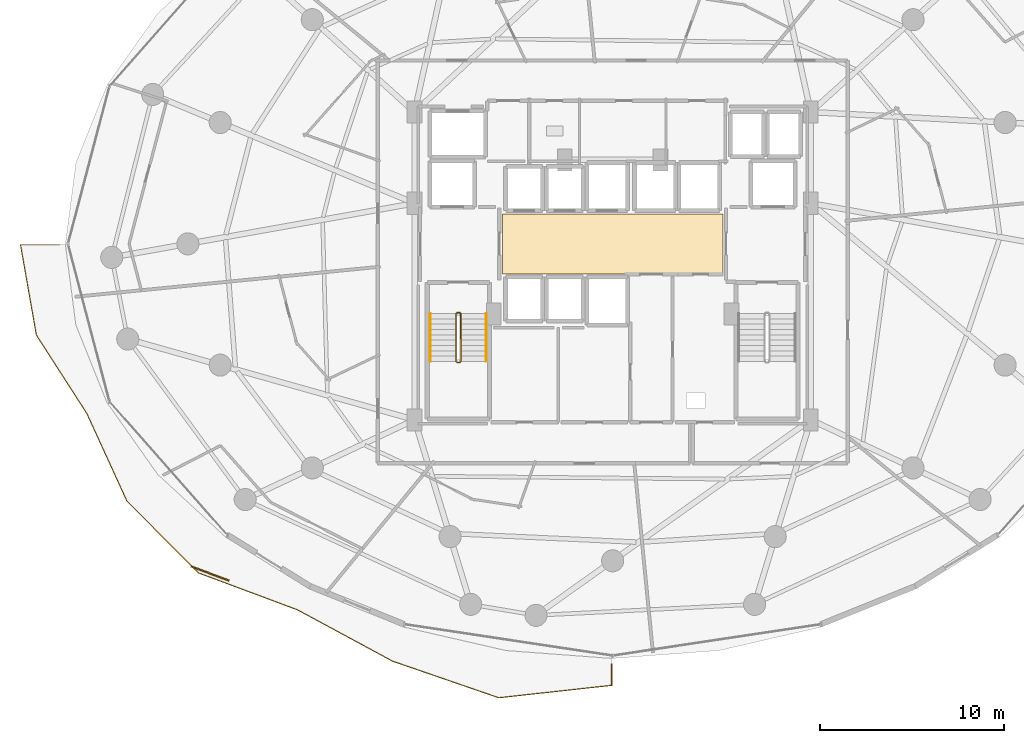
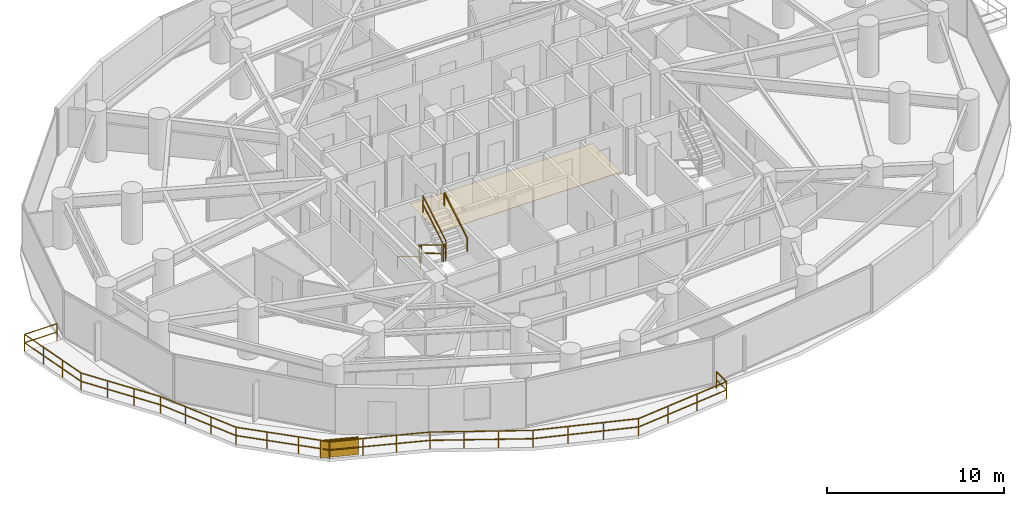
# One storey, part 31 of 33: 8 railings, 1 covering, 1 shading device.
"""IFC4 building model written with IfcOpenShell, lengths in metres."""

from ifc_helpers import new_model, si_unit, direction, frame, origin, origin_2d, place, context, subcontext, project, spatial, polyline, rectangle, outline, extrude, material, layer, layer_set, type_object, element, save


model = new_model("IFC4")

# Units and contexts
model_context = context("Model", 3, precision=1e-05, world=origin(), true_north=direction((0.0, 1.0)))
body_context = subcontext(model_context, "Body", "Model", "MODEL_VIEW")
ifc_project = project(units=[si_unit("LENGTHUNIT", "METRE"), si_unit("AREAUNIT", "SQUARE_METRE"), si_unit("VOLUMEUNIT", "CUBIC_METRE"), si_unit("PLANEANGLEUNIT", "RADIAN"), si_unit("MASSUNIT", "GRAM", prefix="KILO")], contexts=[model_context])

# Site, building, storey
site_placement = place(None, origin())
site = spatial("IfcSite", under=ifc_project, at=site_placement, CompositionType="ELEMENT")
building_placement = place(site_placement, origin())
building = spatial("IfcBuilding", under=site, at=building_placement, Name="Vorneva Point Tower", CompositionType="ELEMENT")
storey_placement = place(building_placement, frame((0.0, 0.0, 59.0)))
storey = spatial("IfcBuildingStorey", under=building, at=storey_placement, Name="L15", CompositionType="ELEMENT", Elevation=59.0)

# Covering
ifc_material_1 = material(Name="Acoustic wool hospitality carpet", Category="textile")
ifc_layer = layer(ifc_material_1, 0.01806640625)
ifc_layer_set = layer_set([ifc_layer], Name="Acoustic wool hospitality carpet")
covering_type = type_object("IfcCoveringType", Name="COV-FLR-CRP", PredefinedType="FLOORING", material=ifc_layer_set)
covering_placement = place(storey_placement, frame((0.0, 0.0, -0.0048828125)))
element("IfcCovering", 1, at=covering_placement, inside=storey, type_object=covering_type, Name="L15 Lift Lobby Floor Finish", PredefinedType="FLOORING", context=body_context, shape_type="SweptSolid", body=[
    extrude(outline(polyline([(32.02001953125, 24.3701171875), (43.97998046875, 24.3701171875), (43.97998046875, 27.6298828125), (32.02001953125, 27.6298828125), (32.02001953125, 24.3701171875)])), origin(), (0.0, 0.0, 1.0), 0.02294921875),
])

# Railings
ifc_material_2 = material(Name="Pale anodised aluminium", Category="aluminium")
railing_type_1 = type_object("IfcRailingType", Name="RL-BAL-1200", PredefinedType="BALUSTRADE", material=ifc_material_2)
railing_1_placement = place(storey_placement, frame((37.949951171875, 2.03955078125, 0.0)))
element("IfcRailing", 2, at=railing_1_placement, inside=storey, type_object=railing_type_1, Name="L15 Wave Balcony Balustrade SW.1", PredefinedType="BALUSTRADE", context=body_context, shape_type="SweptSolid", body=[
    extrude(rectangle(XDim=0.048095703125, YDim=0.048095703125, at=origin_2d()), frame((0.0, 0.0, 1.17578125), z_axis=(0.0, 1.0, 0.0), x_axis=(-1.0, 0.0, 0.0)), (0.0, 0.0, 1.0), 1.143310546875),
    extrude(rectangle(XDim=0.048095703125, YDim=0.048095703125, at=origin_2d()), frame((0.0, 0.0, 0.60009765625), z_axis=(0.0, 1.0, 0.0), x_axis=(-1.0, 0.0, 0.0)), (0.0, 0.0, 1.0), 1.143310546875),
    extrude(rectangle(XDim=0.0419921875, YDim=0.0419921875, at=origin_2d()), origin(), (0.0, 0.0, 1.0), 1.15185546875),
    extrude(rectangle(XDim=0.0419921875, YDim=0.0419921875, at=origin_2d()), frame((0.0, 1.143310546875, 0.0)), (0.0, 0.0, 1.0), 1.15185546875),
])
railing_2_placement = place(storey_placement, frame((7.98388671875, 25.949951171875, 0.0)))
element("IfcRailing", 3, at=railing_2_placement, inside=storey, type_object=railing_type_1, Name="L15 Wave Balcony Balustrade SW.2", PredefinedType="BALUSTRADE", context=body_context, shape_type="SweptSolid", body=[
    extrude(rectangle(XDim=0.048095703125, YDim=0.048095703125, at=origin_2d()), frame((0.0, 0.0, 1.17578125), z_axis=(-1.0, 0.0, 0.0), x_axis=(0.0, -1.0, 0.0)), (0.0, 0.0, 1.0), 2.1201171875),
    extrude(rectangle(XDim=0.048095703125, YDim=0.048095703125, at=origin_2d()), frame((0.0, 0.0, 0.60009765625), z_axis=(-1.0, 0.0, 0.0), x_axis=(0.0, -1.0, 0.0)), (0.0, 0.0, 1.0), 2.1201171875),
    extrude(rectangle(XDim=0.048095703125, YDim=0.048095703125, at=origin_2d()), frame((-2.1201171875, 0.0, 1.17578125), z_axis=(0.173125012369, -0.9848998579, 0.0), x_axis=(0.9848998579, 0.173125012369, 0.0)), (0.0, 0.0, 1.0), 4.97802734375),
    extrude(rectangle(XDim=0.048095703125, YDim=0.048095703125, at=origin_2d()), frame((-2.1201171875, 0.0, 0.60009765625), z_axis=(0.173125012369, -0.9848998579, 0.0), x_axis=(0.9848998579, 0.173125012369, 0.0)), (0.0, 0.0, 1.0), 4.97802734375),
    extrude(rectangle(XDim=0.048095703125, YDim=0.048095703125, at=origin_2d()), frame((-1.25830078125, -4.90283203125, 1.17578125), z_axis=(0.541013524432, -0.841013891907, 0.0), x_axis=(0.841013891907, 0.541013524432, 0.0)), (0.0, 0.0, 1.0), 5.061767578125),
    extrude(rectangle(XDim=0.048095703125, YDim=0.048095703125, at=origin_2d()), frame((-1.25830078125, -4.90283203125, 0.60009765625), z_axis=(0.541013524432, -0.841013891907, 0.0), x_axis=(0.841013891907, 0.541013524432, 0.0)), (0.0, 0.0, 1.0), 5.061767578125),
    extrude(rectangle(XDim=0.048095703125, YDim=0.048095703125, at=origin_2d()), frame((1.480224609375, -9.159912109375, 1.17578125), z_axis=(0.416265850163, -0.909242949925, 0.0), x_axis=(0.909242949925, 0.416265850163, 0.0)), (0.0, 0.0, 1.0), 5.232177734375),
    extrude(rectangle(XDim=0.048095703125, YDim=0.048095703125, at=origin_2d()), frame((1.480224609375, -9.159912109375, 0.60009765625), z_axis=(0.416265850163, -0.909242949925, 0.0), x_axis=(0.909242949925, 0.416265850163, 0.0)), (0.0, 0.0, 1.0), 5.232177734375),
    extrude(rectangle(XDim=0.048095703125, YDim=0.048095703125, at=origin_2d()), frame((3.658203125, -13.917236328125, 1.17578125), z_axis=(0.706084277619, -0.708127808308, 0.0), x_axis=(0.708127808308, 0.706084277619, 0.0)), (0.0, 0.0, 1.0), 5.49560546875),
    extrude(rectangle(XDim=0.048095703125, YDim=0.048095703125, at=origin_2d()), frame((3.658203125, -13.917236328125, 0.60009765625), z_axis=(0.706084277619, -0.708127808308, 0.0), x_axis=(0.708127808308, 0.706084277619, 0.0)), (0.0, 0.0, 1.0), 5.49560546875),
    extrude(rectangle(XDim=0.048095703125, YDim=0.048095703125, at=origin_2d()), frame((7.53857421875, -17.808837890625, 1.17578125), z_axis=(0.936825380414, -0.349797379366, 0.0), x_axis=(0.349797379366, 0.936825380414, 0.0)), (0.0, 0.0, 1.0), 5.751708984375),
    extrude(rectangle(XDim=0.048095703125, YDim=0.048095703125, at=origin_2d()), frame((7.53857421875, -17.808837890625, 0.60009765625), z_axis=(0.936825380414, -0.349797379366, 0.0), x_axis=(0.349797379366, 0.936825380414, 0.0)), (0.0, 0.0, 1.0), 5.751708984375),
    extrude(rectangle(XDim=0.048095703125, YDim=0.048095703125, at=origin_2d()), frame((12.927001953125, -19.82080078125, 1.17578125), z_axis=(0.879801939077, -0.475340454829, 0.0), x_axis=(0.475340454829, 0.879801939077, 0.0)), (0.0, 0.0, 1.0), 5.841796875),
    extrude(rectangle(XDim=0.048095703125, YDim=0.048095703125, at=origin_2d()), frame((12.927001953125, -19.82080078125, 0.60009765625), z_axis=(0.879801939077, -0.475340454829, 0.0), x_axis=(0.475340454829, 0.879801939077, 0.0)), (0.0, 0.0, 1.0), 5.841796875),
    extrude(rectangle(XDim=0.048095703125, YDim=0.048095703125, at=origin_2d()), frame((18.066650390625, -22.59765625, 1.17578125), z_axis=(0.945437599606, -0.32580323088, 0.0), x_axis=(0.32580323088, 0.945437599606, 0.0)), (0.0, 0.0, 1.0), 6.101318359375),
    extrude(rectangle(XDim=0.048095703125, YDim=0.048095703125, at=origin_2d()), frame((18.066650390625, -22.59765625, 0.60009765625), z_axis=(0.945437599606, -0.32580323088, 0.0), x_axis=(0.32580323088, 0.945437599606, 0.0)), (0.0, 0.0, 1.0), 6.101318359375),
    extrude(rectangle(XDim=0.048095703125, YDim=0.048095703125, at=origin_2d()), frame((23.8349609375, -24.58544921875, 1.17578125), z_axis=(0.993993295129, 0.109440985188, 0.0), x_axis=(-0.109440985188, 0.993993295129, 0.0)), (0.0, 0.0, 1.0), 6.168212890625),
    extrude(rectangle(XDim=0.048095703125, YDim=0.048095703125, at=origin_2d()), frame((23.8349609375, -24.58544921875, 0.60009765625), z_axis=(0.993993295129, 0.109440985188, 0.0), x_axis=(-0.109440985188, 0.993993295129, 0.0)), (0.0, 0.0, 1.0), 6.168212890625),
    extrude(rectangle(XDim=0.0419921875, YDim=0.0419921875, at=origin_2d()), origin(), (0.0, 0.0, 1.0), 1.15185546875),
    extrude(rectangle(XDim=0.0419921875, YDim=0.0419921875, at=origin_2d()), frame((-2.1201171875, 0.0, 0.0)), (0.0, 0.0, 1.0), 1.15185546875),
    extrude(rectangle(XDim=0.0419921875, YDim=0.0419921875, at=origin_2d()), frame((-1.832763671875, -1.63427734375, 0.0)), (0.0, 0.0, 1.0), 1.15185546875),
    extrude(rectangle(XDim=0.0419921875, YDim=0.0419921875, at=origin_2d()), frame((-1.545654296875, -3.2685546875, 0.0)), (0.0, 0.0, 1.0), 1.15185546875),
    extrude(rectangle(XDim=0.0419921875, YDim=0.0419921875, at=origin_2d()), frame((-1.25830078125, -4.90283203125, 0.0)), (0.0, 0.0, 1.0), 1.15185546875),
    extrude(rectangle(XDim=0.0419921875, YDim=0.0419921875, at=origin_2d()), frame((-0.345458984375, -6.32177734375, 0.0)), (0.0, 0.0, 1.0), 1.15185546875),
    extrude(rectangle(XDim=0.0419921875, YDim=0.0419921875, at=origin_2d()), frame((0.5673828125, -7.740966796875, 0.0)), (0.0, 0.0, 1.0), 1.15185546875),
    extrude(rectangle(XDim=0.0419921875, YDim=0.0419921875, at=origin_2d()), frame((1.480224609375, -9.159912109375, 0.0)), (0.0, 0.0, 1.0), 1.15185546875),
    extrude(rectangle(XDim=0.0419921875, YDim=0.0419921875, at=origin_2d()), frame((2.206298828125, -10.74560546875, 0.0)), (0.0, 0.0, 1.0), 1.15185546875),
    extrude(rectangle(XDim=0.0419921875, YDim=0.0419921875, at=origin_2d()), frame((2.93212890625, -12.33154296875, 0.0)), (0.0, 0.0, 1.0), 1.15185546875),
    extrude(rectangle(XDim=0.0419921875, YDim=0.0419921875, at=origin_2d()), frame((3.658203125, -13.917236328125, 0.0)), (0.0, 0.0, 1.0), 1.15185546875),
    extrude(rectangle(XDim=0.0419921875, YDim=0.0419921875, at=origin_2d()), frame((4.95166015625, -15.21435546875, 0.0)), (0.0, 0.0, 1.0), 1.15185546875),
    extrude(rectangle(XDim=0.0419921875, YDim=0.0419921875, at=origin_2d()), frame((6.2451171875, -16.51171875, 0.0)), (0.0, 0.0, 1.0), 1.15185546875),
    extrude(rectangle(XDim=0.0419921875, YDim=0.0419921875, at=origin_2d()), frame((7.53857421875, -17.808837890625, 0.0)), (0.0, 0.0, 1.0), 1.15185546875),
    extrude(rectangle(XDim=0.0419921875, YDim=0.0419921875, at=origin_2d()), frame((9.334716796875, -18.4794921875, 0.0)), (0.0, 0.0, 1.0), 1.15185546875),
    extrude(rectangle(XDim=0.0419921875, YDim=0.0419921875, at=origin_2d()), frame((11.130859375, -19.150146484375, 0.0)), (0.0, 0.0, 1.0), 1.15185546875),
    extrude(rectangle(XDim=0.0419921875, YDim=0.0419921875, at=origin_2d()), frame((12.927001953125, -19.82080078125, 0.0)), (0.0, 0.0, 1.0), 1.15185546875),
    extrude(rectangle(XDim=0.0419921875, YDim=0.0419921875, at=origin_2d()), frame((14.64013671875, -20.746337890625, 0.0)), (0.0, 0.0, 1.0), 1.15185546875),
    extrude(rectangle(XDim=0.0419921875, YDim=0.0419921875, at=origin_2d()), frame((16.353515625, -21.672119140625, 0.0)), (0.0, 0.0, 1.0), 1.15185546875),
    extrude(rectangle(XDim=0.0419921875, YDim=0.0419921875, at=origin_2d()), frame((18.066650390625, -22.59765625, 0.0)), (0.0, 0.0, 1.0), 1.15185546875),
    extrude(rectangle(XDim=0.0419921875, YDim=0.0419921875, at=origin_2d()), frame((19.989501953125, -23.26025390625, 0.0)), (0.0, 0.0, 1.0), 1.15185546875),
    extrude(rectangle(XDim=0.0419921875, YDim=0.0419921875, at=origin_2d()), frame((21.912109375, -23.9228515625, 0.0)), (0.0, 0.0, 1.0), 1.15185546875),
    extrude(rectangle(XDim=0.0419921875, YDim=0.0419921875, at=origin_2d()), frame((23.8349609375, -24.58544921875, 0.0)), (0.0, 0.0, 1.0), 1.15185546875),
    extrude(rectangle(XDim=0.0419921875, YDim=0.0419921875, at=origin_2d()), frame((25.878662109375, -24.3603515625, 0.0)), (0.0, 0.0, 1.0), 1.15185546875),
    extrude(rectangle(XDim=0.0419921875, YDim=0.0419921875, at=origin_2d()), frame((27.92236328125, -24.135498046875, 0.0)), (0.0, 0.0, 1.0), 1.15185546875),
    extrude(rectangle(XDim=0.0419921875, YDim=0.0419921875, at=origin_2d()), frame((29.966064453125, -23.910400390625, 0.0)), (0.0, 0.0, 1.0), 1.15185546875),
])
ifc_material_3 = material(Name="Brushed stainless steel S304", Category="steel")
railing_type_2 = type_object("IfcRailingType", Name="RL-HND-920", PredefinedType="HANDRAIL", material=ifc_material_3)
railing_3_placement = place(storey_placement, frame((28.10009765625, 22.219970703125, 0.175048828125)))
element("IfcRailing", 4, at=railing_3_placement, inside=storey, type_object=railing_type_2, Name="L15 ST1 stair handrail 1", PredefinedType="HANDRAIL", context=body_context, shape_type="SweptSolid", body=[
    extrude(rectangle(XDim=0.048095703125, YDim=0.048095703125, at=origin_2d()), frame((0.0, 0.0, 0.8759765625), z_axis=(0.0, -0.85618277418, 0.516673066065), x_axis=(1.0, 0.0, 0.0)), (0.0, 0.0, 1.0), 3.04833984375),
    extrude(rectangle(XDim=0.0419921875, YDim=0.0419921875, at=origin_2d()), origin(), (0.0, 0.0, 1.0), 0.851806640625),
    extrude(rectangle(XDim=0.0419921875, YDim=0.0419921875, at=origin_2d()), frame((0.0, -2.60986328125, 1.574951171875)), (0.0, 0.0, 1.0), 0.851806640625),
])
railing_4_placement = place(storey_placement, frame((31.14990234375, 19.610107421875, 1.925048828125)))
element("IfcRailing", 5, at=railing_4_placement, inside=storey, type_object=railing_type_2, Name="L15 ST1 stair handrail 2", PredefinedType="HANDRAIL", context=body_context, shape_type="SweptSolid", body=[
    extrude(rectangle(XDim=0.048095703125, YDim=0.048095703125, at=origin_2d()), frame((0.0, 0.0, 0.8759765625), z_axis=(0.0, 0.85618277418, 0.516673066065), x_axis=(-1.0, 0.0, 0.0)), (0.0, 0.0, 1.0), 3.04833984375),
    extrude(rectangle(XDim=0.0419921875, YDim=0.0419921875, at=origin_2d()), origin(), (0.0, 0.0, 1.0), 0.851806640625),
    extrude(rectangle(XDim=0.0419921875, YDim=0.0419921875, at=origin_2d()), frame((0.0, 2.60986328125, 1.574951171875)), (0.0, 0.0, 1.0), 0.851806640625),
])
railing_type_3 = type_object("IfcRailingType", Name="RL-STG-1100", PredefinedType="GUARDRAIL", material=ifc_material_3)
railing_5_placement = place(storey_placement, frame((29.5, 22.219970703125, 0.175048828125)))
element("IfcRailing", 6, at=railing_5_placement, inside=storey, type_object=railing_type_3, Name="L15 ST1 stair guard 1", PredefinedType="GUARDRAIL", context=body_context, shape_type="SweptSolid", body=[
    extrude(rectangle(XDim=0.048095703125, YDim=0.048095703125, at=origin_2d()), frame((0.0, 0.0, 1.17578125), z_axis=(0.0, -0.85618277418, 0.516673066065), x_axis=(1.0, 0.0, 0.0)), (0.0, 0.0, 1.0), 3.04833984375),
    extrude(rectangle(XDim=0.048095703125, YDim=0.048095703125, at=origin_2d()), frame((0.0, 0.0, 0.60009765625), z_axis=(0.0, -0.85618277418, 0.516673066065), x_axis=(1.0, 0.0, 0.0)), (0.0, 0.0, 1.0), 3.04833984375),
    extrude(rectangle(XDim=0.0419921875, YDim=0.0419921875, at=origin_2d()), origin(), (0.0, 0.0, 1.0), 1.15185546875),
    extrude(rectangle(XDim=0.0419921875, YDim=0.0419921875, at=origin_2d()), frame((0.0, -2.60986328125, 1.574951171875)), (0.0, 0.0, 1.0), 1.15185546875),
])
railing_6_placement = place(storey_placement, frame((29.550048828125, 19.56005859375, 1.75)))
element("IfcRailing", 7, at=railing_6_placement, inside=storey, type_object=railing_type_3, Name="L15 ST1 stair guard 2", PredefinedType="GUARDRAIL", context=body_context, shape_type="SweptSolid", body=[
    extrude(rectangle(XDim=0.048095703125, YDim=0.048095703125, at=origin_2d()), frame((0.0, 0.0, 1.17578125), z_axis=(1.0, 0.0, 0.0), x_axis=(0.0, 1.0, 0.0)), (0.0, 0.0, 1.0), 0.14990234375),
    extrude(rectangle(XDim=0.048095703125, YDim=0.048095703125, at=origin_2d()), frame((0.0, 0.0, 0.60009765625), z_axis=(1.0, 0.0, 0.0), x_axis=(0.0, 1.0, 0.0)), (0.0, 0.0, 1.0), 0.14990234375),
    extrude(rectangle(XDim=0.0419921875, YDim=0.0419921875, at=origin_2d()), origin(), (0.0, 0.0, 1.0), 1.15185546875),
    extrude(rectangle(XDim=0.0419921875, YDim=0.0419921875, at=origin_2d()), frame((0.14990234375, 0.0, 0.0)), (0.0, 0.0, 1.0), 1.15185546875),
])
railing_7_placement = place(storey_placement, frame((29.75, 19.610107421875, 1.925048828125)))
element("IfcRailing", 8, at=railing_7_placement, inside=storey, type_object=railing_type_3, Name="L15 ST1 stair guard 3", PredefinedType="GUARDRAIL", context=body_context, shape_type="SweptSolid", body=[
    extrude(rectangle(XDim=0.048095703125, YDim=0.048095703125, at=origin_2d()), frame((0.0, 0.0, 1.17578125), z_axis=(0.0, 0.85618277418, 0.516673066065), x_axis=(-1.0, 0.0, 0.0)), (0.0, 0.0, 1.0), 3.04833984375),
    extrude(rectangle(XDim=0.048095703125, YDim=0.048095703125, at=origin_2d()), frame((0.0, 0.0, 0.60009765625), z_axis=(0.0, 0.85618277418, 0.516673066065), x_axis=(-1.0, 0.0, 0.0)), (0.0, 0.0, 1.0), 3.04833984375),
    extrude(rectangle(XDim=0.0419921875, YDim=0.0419921875, at=origin_2d()), origin(), (0.0, 0.0, 1.0), 1.15185546875),
    extrude(rectangle(XDim=0.0419921875, YDim=0.0419921875, at=origin_2d()), frame((0.0, 2.60986328125, 1.574951171875)), (0.0, 0.0, 1.0), 1.15185546875),
])
railing_8_placement = place(storey_placement, frame((29.550048828125, 22.27001953125, 0.0)))
element("IfcRailing", 9, at=railing_8_placement, inside=storey, type_object=railing_type_3, Name="L15 ST1 stair guard 4", PredefinedType="GUARDRAIL", context=body_context, shape_type="SweptSolid", body=[
    extrude(rectangle(XDim=0.048095703125, YDim=0.048095703125, at=origin_2d()), frame((0.0, 0.0, 1.17578125), z_axis=(1.0, 0.0, 0.0), x_axis=(0.0, 1.0, 0.0)), (0.0, 0.0, 1.0), 0.14990234375),
    extrude(rectangle(XDim=0.048095703125, YDim=0.048095703125, at=origin_2d()), frame((0.0, 0.0, 0.60009765625), z_axis=(1.0, 0.0, 0.0), x_axis=(0.0, 1.0, 0.0)), (0.0, 0.0, 1.0), 0.14990234375),
    extrude(rectangle(XDim=0.0419921875, YDim=0.0419921875, at=origin_2d()), origin(), (0.0, 0.0, 1.0), 1.15185546875),
    extrude(rectangle(XDim=0.0419921875, YDim=0.0419921875, at=origin_2d()), frame((0.14990234375, 0.0, 0.0)), (0.0, 0.0, 1.0), 1.15185546875),
])

# Shading device
shading_device_type = type_object("IfcShadingDeviceType", Name="SHD-JAL-1200", PredefinedType="JALOUSIE", material=ifc_material_2)
shading_device_placement = place(storey_placement, frame((16.149658203125, 8.110107421875, -0.02001953125), z_axis=(0.0, 0.0, 1.0), x_axis=(0.936818801595, -0.349814998218, 0.0)))
element("IfcShadingDevice", 10, at=shading_device_placement, inside=storey, type_object=shading_device_type, Name="L15 Balcony Vertical-Greenery Planter Screen SW.2", PredefinedType="JALOUSIE", context=body_context, shape_type="SweptSolid", body=[
    extrude(rectangle(XDim=2.199951171875, YDim=0.080078125, at=origin_2d()), origin(), (0.0, 0.0, 1.0), 1.199951171875),
])

save(model, "model.ifc")
